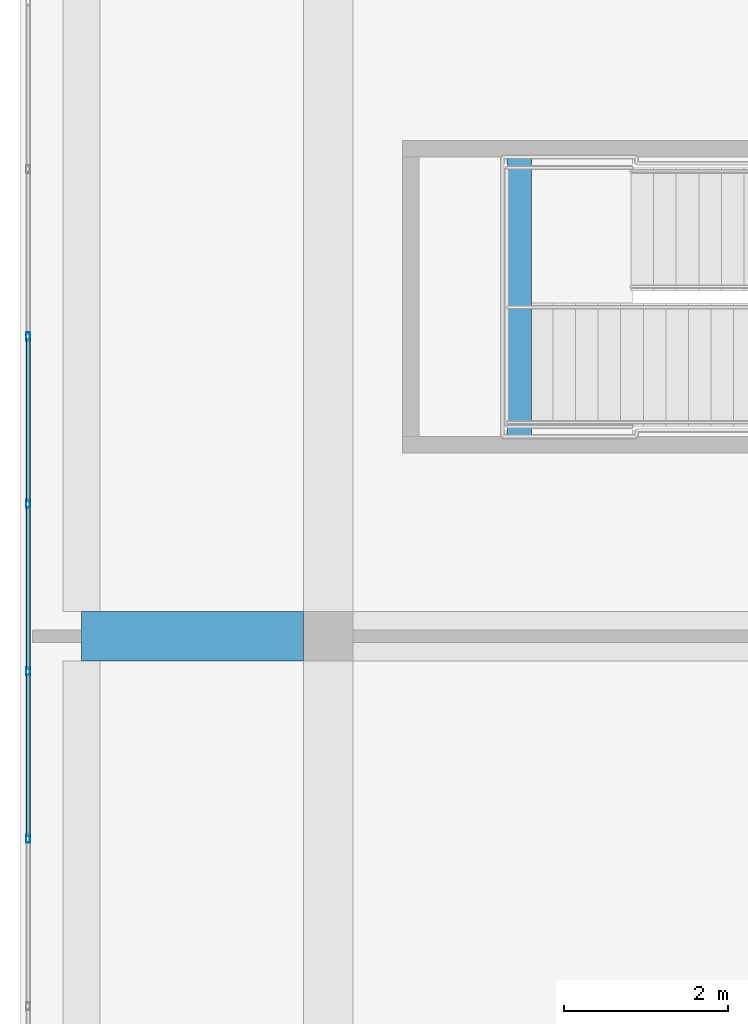
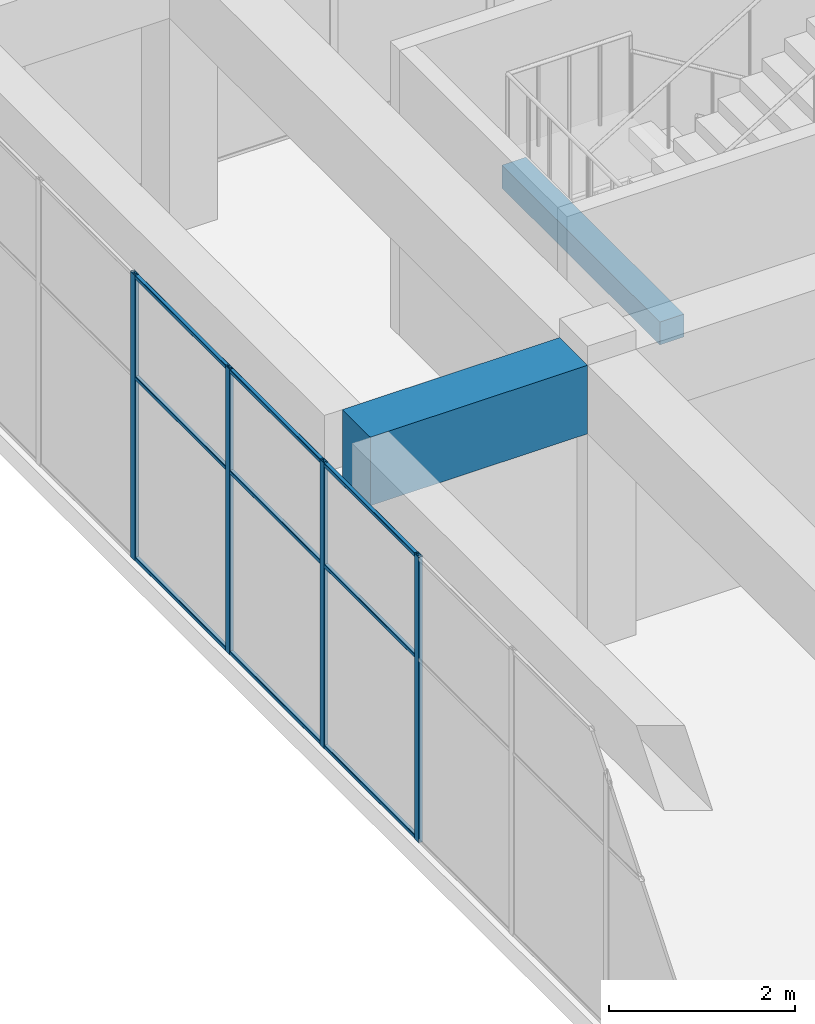
# One storey, part 13 of 35: 13 members, 2 beams, 1 element without a shape of its own.
"""IFC4 building model written with IfcOpenShell, lengths in metres."""

from ifc_helpers import new_model, si_unit, direction, frame, origin, origin_2d, place, context, subcontext, project, spatial, rectangle, hollow_rectangle, extrude, material, layer, layer_set, material_profile, profile_set, type_object, element, aggregate, save


model = new_model("IFC4")

# Units and contexts
model_context = context("Model", 3, precision=1e-05, world=origin(), true_north=direction((0.0, 1.0)))
body_context = subcontext(model_context, "Body", "Model", "MODEL_VIEW")
ifc_project = project(units=[si_unit("LENGTHUNIT", "METRE"), si_unit("AREAUNIT", "SQUARE_METRE"), si_unit("VOLUMEUNIT", "CUBIC_METRE"), si_unit("PLANEANGLEUNIT", "RADIAN"), si_unit("MASSUNIT", "GRAM", prefix="KILO")], contexts=[model_context])

# Site, building, storey
site_placement = place(None, origin())
site = spatial("IfcSite", under=ifc_project, at=site_placement, CompositionType="ELEMENT")
building_placement = place(site_placement, origin())
building = spatial("IfcBuilding", under=site, at=building_placement, Name="Tuart Plaza Theatre", CompositionType="ELEMENT")
storey_placement = place(building_placement, frame((0.0, 0.0, 45.5)))
storey = spatial("IfcBuildingStorey", under=building, at=storey_placement, Name="L11", CompositionType="ELEMENT", Elevation=45.5)

# Beams
ifc_material_1 = material(Name="Concrete N40 (40 MPa)", Category="concrete")
ifc_material_profile_1 = material_profile(ifc_material_1, rectangle(XDim=0.300048828125, YDim=0.300048828125, at=origin_2d()), Name="BEAM 300x300 Concrete N40 (40 MPa)")
ifc_profile_set_1 = profile_set([ifc_material_profile_1], Name="Concrete N40 (40 MPa)")
beam_type_1 = type_object("IfcBeamType", Name="BEAM 300x300 Concrete N40 (40 MPa)", PredefinedType="BEAM", material=ifc_profile_set_1)
beam_1_placement = place(storey_placement, frame((116.320068359375, 88.824951171875, 1.64990234375), z_axis=(0.0, -1.0, 0.0), x_axis=(1.0, 0.0, 0.0)))
element("IfcBeam", 1, at=beam_1_placement, inside=storey, type_object=beam_type_1, Name="RB539", PredefinedType="BEAM", context=body_context, shape_type="SweptSolid", body=[
    extrude(rectangle(XDim=0.300048828125, YDim=0.300048828125, at=origin_2d()), origin(), (0.0, 0.0, 1.0), 3.39990234375),
])
ifc_material_2 = material(Name="Concrete N40 (40 MPa)", Category="concrete")
ifc_material_profile_2 = material_profile(ifc_material_2, rectangle(XDim=0.60009765625, YDim=0.89990234375, at=origin_2d()), Name="BEAM 600x900 Concrete N40 (40 MPa)")
ifc_profile_set_2 = profile_set([ifc_material_profile_2], Name="Concrete N40 (40 MPa)")
beam_type_2 = type_object("IfcBeamType", Name="BEAM 600x900 Concrete N40 (40 MPa)", PredefinedType="BEAM", material=ifc_profile_set_2)
beam_2_placement = place(storey_placement, frame((111.0, 83.0, 3.300048828125), z_axis=(1.0, 0.0, 0.0), x_axis=(0.0, 1.0, 0.0)))
element("IfcBeam", 2, at=beam_2_placement, inside=storey, type_object=beam_type_2, Name="RB287", PredefinedType="BEAM", context=body_context, shape_type="SweptSolid", body=[
    extrude(rectangle(XDim=0.60009765625, YDim=0.89990234375, at=origin_2d()), origin(), (0.0, 0.0, 1.0), 2.699951171875),
])

# Curtain wall, members
ifc_material_3 = material(Name="Aluminium and glass", Category="aluminium")
ifc_layer = layer(ifc_material_3, 0.10009765625)
ifc_layer_set = layer_set([ifc_layer], Name="CURTAIN WALL 2000 module")
curtain_wall_type = type_object("IfcCurtainWallType", Name="CURTAIN WALL 2000 module", PredefinedType="NOTDEFINED", material=ifc_layer_set)
curtain_wall_placement = place(storey_placement, origin())
curtain_wall = element("IfcCurtainWall", 3, at=curtain_wall_placement, inside=storey, type_object=curtain_wall_type, Name="CW106", PredefinedType="NOTDEFINED")
ifc_material_4 = material(Name="Aluminium 6063-T5", Category="aluminium")
ifc_material_profile_3 = material_profile(ifc_material_4, hollow_rectangle(XDim=0.050048828125, YDim=0.10009765625, WallThickness=0.00390625, InnerFilletRadius=0.00390625, OuterFilletRadius=0.008056640625, at=origin_2d()), Name="RHS 100x50x4")
ifc_profile_set_3 = profile_set([ifc_material_profile_3], Name="Aluminium 6063-T5")
member_type_1 = type_object("IfcMemberType", Name="MULLION RHS 100x50x4", PredefinedType="MULLION", material=ifc_profile_set_3)
member_1_placement = place(storey_placement, frame((110.35009765625, 86.642822265625, 0.0), z_axis=(0.0, 0.0, 1.0), x_axis=(1.0, 0.0, 0.0)))
member_1 = element("IfcMember", 4, at=member_1_placement, type_object=member_type_1, Name="CW106 mullion 4", PredefinedType="MULLION", context=body_context, shape_type="SweptSolid", body=[
    extrude(hollow_rectangle(XDim=0.050048828125, YDim=0.10009765625, WallThickness=0.00390625, InnerFilletRadius=0.00390625, OuterFilletRadius=0.008056640625, at=origin_2d()), origin(), (0.0, 0.0, 1.0), 3.75),
])
member_2_placement = place(storey_placement, frame((110.35009765625, 84.607177734375, 0.0), z_axis=(0.0, 0.0, 1.0), x_axis=(1.0, 0.0, 0.0)))
member_2 = element("IfcMember", 5, at=member_2_placement, type_object=member_type_1, Name="CW106 mullion 5", PredefinedType="MULLION", context=body_context, shape_type="SweptSolid", body=[
    extrude(hollow_rectangle(XDim=0.050048828125, YDim=0.10009765625, WallThickness=0.00390625, InnerFilletRadius=0.00390625, OuterFilletRadius=0.008056640625, at=origin_2d()), origin(), (0.0, 0.0, 1.0), 3.75),
])
member_3_placement = place(storey_placement, frame((110.35009765625, 82.571533203125, 0.0), z_axis=(0.0, 0.0, 1.0), x_axis=(1.0, 0.0, 0.0)))
member_3 = element("IfcMember", 6, at=member_3_placement, type_object=member_type_1, Name="CW106 mullion 6", PredefinedType="MULLION", context=body_context, shape_type="SweptSolid", body=[
    extrude(hollow_rectangle(XDim=0.050048828125, YDim=0.10009765625, WallThickness=0.00390625, InnerFilletRadius=0.00390625, OuterFilletRadius=0.008056640625, at=origin_2d()), origin(), (0.0, 0.0, 1.0), 3.75),
])
member_4_placement = place(storey_placement, frame((110.35009765625, 80.53564453125, 0.0), z_axis=(0.0, 0.0, 1.0), x_axis=(1.0, 0.0, 0.0)))
member_4 = element("IfcMember", 7, at=member_4_placement, type_object=member_type_1, Name="CW106 mullion 7", PredefinedType="MULLION", context=body_context, shape_type="SweptSolid", body=[
    extrude(hollow_rectangle(XDim=0.050048828125, YDim=0.10009765625, WallThickness=0.00390625, InnerFilletRadius=0.00390625, OuterFilletRadius=0.008056640625, at=origin_2d()), origin(), (0.0, 0.0, 1.0), 3.75),
])
ifc_material_5 = material(Name="Aluminium 6063-T5", Category="aluminium")
ifc_material_profile_4 = material_profile(ifc_material_5, hollow_rectangle(XDim=0.050048828125, YDim=0.050048828125, WallThickness=0.00390625, InnerFilletRadius=0.00390625, OuterFilletRadius=0.008056640625, at=origin_2d()), Name="RHS 50x50x4")
ifc_profile_set_4 = profile_set([ifc_material_profile_4], Name="Aluminium 6063-T5")
member_type_2 = type_object("IfcMemberType", Name="TRANSOM RHS 50x50x4", PredefinedType="USERDEFINED", material=ifc_profile_set_4)
member_5_placement = place(storey_placement, frame((110.35009765625, 86.617919921875, 0.02490234375), z_axis=(0.0, -1.0, 0.0), x_axis=(1.0, 0.0, 0.0)))
member_5 = element("IfcMember", 8, at=member_5_placement, type_object=member_type_2, Name="CW106 transom 4.1", ObjectType="TRANSOM", PredefinedType="USERDEFINED", context=body_context, shape_type="SweptSolid", body=[
    extrude(hollow_rectangle(XDim=0.050048828125, YDim=0.050048828125, WallThickness=0.00390625, InnerFilletRadius=0.00390625, OuterFilletRadius=0.008056640625, at=origin_2d()), origin(), (0.0, 0.0, 1.0), 1.98583984375),
])
member_6_placement = place(storey_placement, frame((110.35009765625, 86.617919921875, 2.39990234375), z_axis=(0.0, -1.0, 0.0), x_axis=(1.0, 0.0, 0.0)))
member_6 = element("IfcMember", 9, at=member_6_placement, type_object=member_type_2, Name="CW106 transom 4.2", ObjectType="TRANSOM", PredefinedType="USERDEFINED", context=body_context, shape_type="SweptSolid", body=[
    extrude(hollow_rectangle(XDim=0.050048828125, YDim=0.050048828125, WallThickness=0.00390625, InnerFilletRadius=0.00390625, OuterFilletRadius=0.008056640625, at=origin_2d()), origin(), (0.0, 0.0, 1.0), 1.98583984375),
])
member_7_placement = place(storey_placement, frame((110.35009765625, 86.617919921875, 3.72509765625), z_axis=(0.0, -1.0, 0.0), x_axis=(1.0, 0.0, 0.0)))
member_7 = element("IfcMember", 10, at=member_7_placement, type_object=member_type_2, Name="CW106 transom 4.3", ObjectType="TRANSOM", PredefinedType="USERDEFINED", context=body_context, shape_type="SweptSolid", body=[
    extrude(hollow_rectangle(XDim=0.050048828125, YDim=0.050048828125, WallThickness=0.00390625, InnerFilletRadius=0.00390625, OuterFilletRadius=0.008056640625, at=origin_2d()), origin(), (0.0, 0.0, 1.0), 1.98583984375),
])
member_8_placement = place(storey_placement, frame((110.35009765625, 84.58203125, 0.02490234375), z_axis=(0.0, -1.0, 0.0), x_axis=(1.0, 0.0, 0.0)))
member_8 = element("IfcMember", 11, at=member_8_placement, type_object=member_type_2, Name="CW106 transom 5.1", ObjectType="TRANSOM", PredefinedType="USERDEFINED", context=body_context, shape_type="SweptSolid", body=[
    extrude(hollow_rectangle(XDim=0.050048828125, YDim=0.050048828125, WallThickness=0.00390625, InnerFilletRadius=0.00390625, OuterFilletRadius=0.008056640625, at=origin_2d()), origin(), (0.0, 0.0, 1.0), 1.985595703125),
])
member_9_placement = place(storey_placement, frame((110.35009765625, 84.58203125, 2.39990234375), z_axis=(0.0, -1.0, 0.0), x_axis=(1.0, 0.0, 0.0)))
member_9 = element("IfcMember", 12, at=member_9_placement, type_object=member_type_2, Name="CW106 transom 5.2", ObjectType="TRANSOM", PredefinedType="USERDEFINED", context=body_context, shape_type="SweptSolid", body=[
    extrude(hollow_rectangle(XDim=0.050048828125, YDim=0.050048828125, WallThickness=0.00390625, InnerFilletRadius=0.00390625, OuterFilletRadius=0.008056640625, at=origin_2d()), origin(), (0.0, 0.0, 1.0), 1.985595703125),
])
member_10_placement = place(storey_placement, frame((110.35009765625, 84.58203125, 3.72509765625), z_axis=(0.0, -1.0, 0.0), x_axis=(1.0, 0.0, 0.0)))
member_10 = element("IfcMember", 13, at=member_10_placement, type_object=member_type_2, Name="CW106 transom 5.3", ObjectType="TRANSOM", PredefinedType="USERDEFINED", context=body_context, shape_type="SweptSolid", body=[
    extrude(hollow_rectangle(XDim=0.050048828125, YDim=0.050048828125, WallThickness=0.00390625, InnerFilletRadius=0.00390625, OuterFilletRadius=0.008056640625, at=origin_2d()), origin(), (0.0, 0.0, 1.0), 1.985595703125),
])
member_11_placement = place(storey_placement, frame((110.35009765625, 82.54638671875, 0.02490234375), z_axis=(0.0, -1.0, 0.0), x_axis=(1.0, 0.0, 0.0)))
member_11 = element("IfcMember", 14, at=member_11_placement, type_object=member_type_2, Name="CW106 transom 6.1", ObjectType="TRANSOM", PredefinedType="USERDEFINED", context=body_context, shape_type="SweptSolid", body=[
    extrude(hollow_rectangle(XDim=0.050048828125, YDim=0.050048828125, WallThickness=0.00390625, InnerFilletRadius=0.00390625, OuterFilletRadius=0.008056640625, at=origin_2d()), origin(), (0.0, 0.0, 1.0), 1.985595703125),
])
member_12_placement = place(storey_placement, frame((110.35009765625, 82.54638671875, 2.39990234375), z_axis=(0.0, -1.0, 0.0), x_axis=(1.0, 0.0, 0.0)))
member_12 = element("IfcMember", 15, at=member_12_placement, type_object=member_type_2, Name="CW106 transom 6.2", ObjectType="TRANSOM", PredefinedType="USERDEFINED", context=body_context, shape_type="SweptSolid", body=[
    extrude(hollow_rectangle(XDim=0.050048828125, YDim=0.050048828125, WallThickness=0.00390625, InnerFilletRadius=0.00390625, OuterFilletRadius=0.008056640625, at=origin_2d()), origin(), (0.0, 0.0, 1.0), 1.985595703125),
])
member_13_placement = place(storey_placement, frame((110.35009765625, 82.54638671875, 3.72509765625), z_axis=(0.0, -1.0, 0.0), x_axis=(1.0, 0.0, 0.0)))
member_13 = element("IfcMember", 16, at=member_13_placement, type_object=member_type_2, Name="CW106 transom 6.3", ObjectType="TRANSOM", PredefinedType="USERDEFINED", context=body_context, shape_type="SweptSolid", body=[
    extrude(hollow_rectangle(XDim=0.050048828125, YDim=0.050048828125, WallThickness=0.00390625, InnerFilletRadius=0.00390625, OuterFilletRadius=0.008056640625, at=origin_2d()), origin(), (0.0, 0.0, 1.0), 1.985595703125),
])
aggregate(curtain_wall, [member_1, member_2, member_3, member_4, member_5, member_6, member_7, member_8, member_9, member_10, member_11, member_12, member_13])

save(model, "model.ifc")
